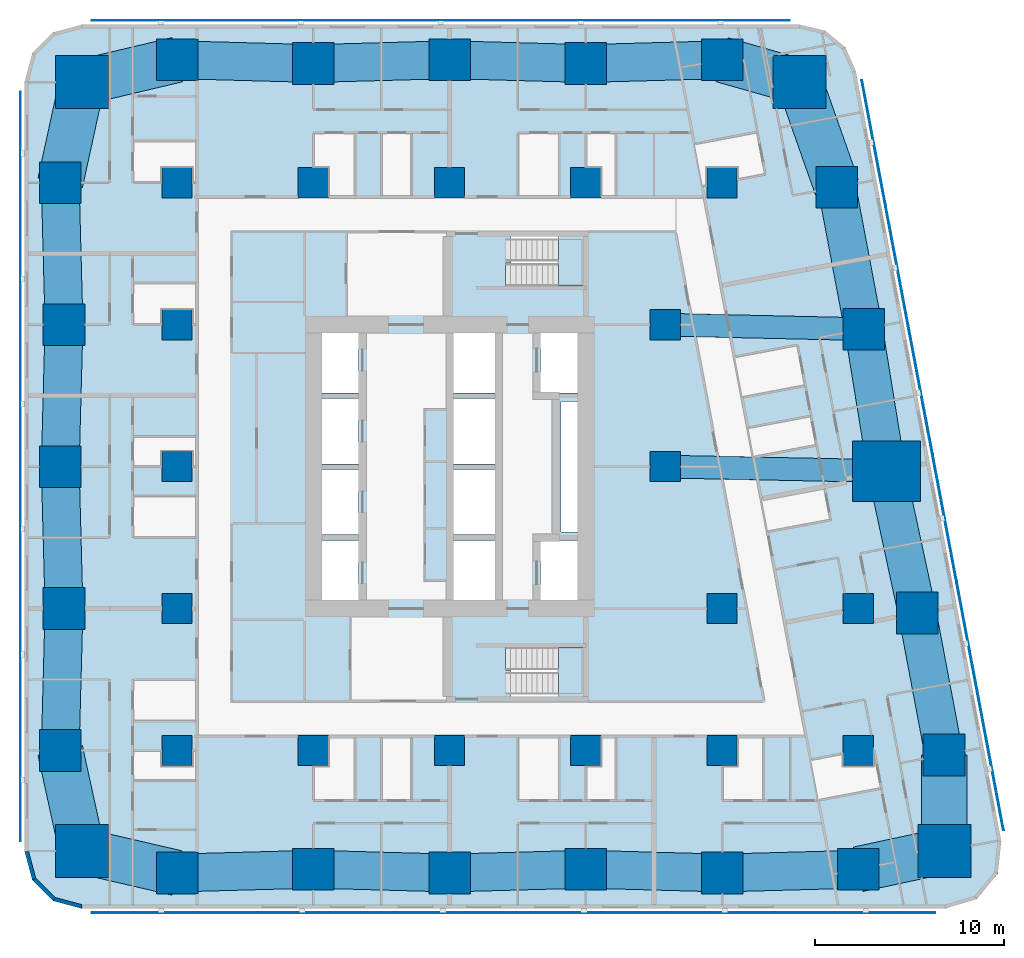
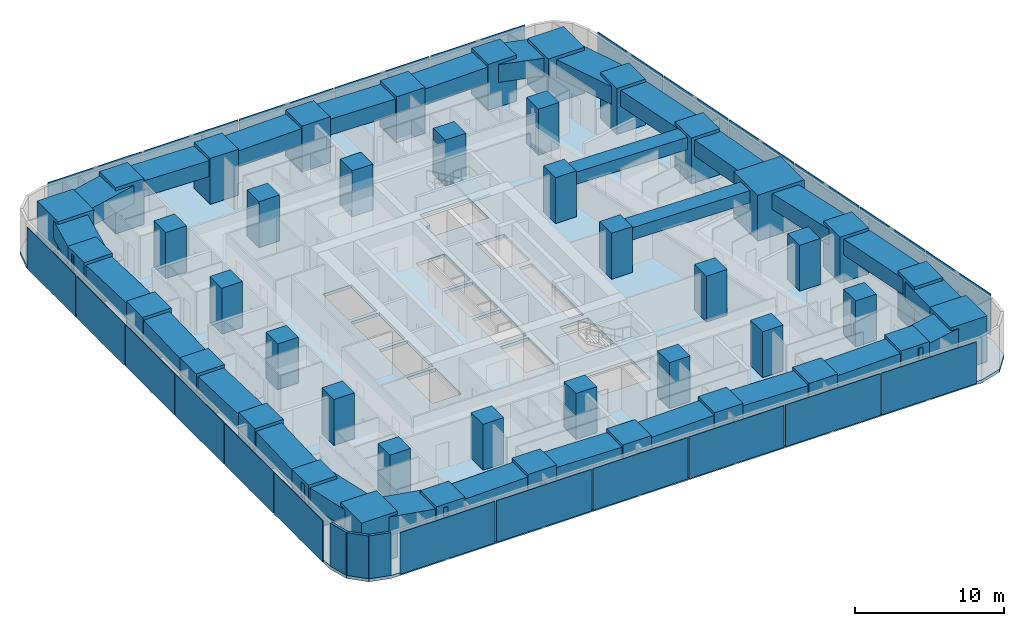
# One storey, part 1 of 15: 43 columns, 27 beams, 23 plates, 3 slabs, 3 walls, 2 elements without a shape of their own.
"""IFC4 building model written with IfcOpenShell, lengths in metres."""

from ifc_helpers import new_model, si_unit, direction, frame, frame_2d, origin, origin_2d, place, context, subcontext, project, spatial, polyline, rectangle, outline, extrude, material, layer, layer_set, material_profile, profile_set, type_object, element, aggregate, save


model = new_model("IFC4")

# Units and contexts
model_context = context("Model", 3, precision=1e-05, world=origin(), true_north=direction((0.0, 1.0)))
body_context = subcontext(model_context, "Body", "Model", "MODEL_VIEW")
ifc_project = project(units=[si_unit("LENGTHUNIT", "METRE"), si_unit("AREAUNIT", "SQUARE_METRE"), si_unit("VOLUMEUNIT", "CUBIC_METRE"), si_unit("PLANEANGLEUNIT", "RADIAN"), si_unit("MASSUNIT", "GRAM", prefix="KILO")], contexts=[model_context])

# Site, building, storey
site_placement = place(None, origin())
site = spatial("IfcSite", under=ifc_project, at=site_placement, CompositionType="ELEMENT")
building_placement = place(site_placement, origin())
building = spatial("IfcBuilding", under=site, at=building_placement, Name="Sheger Commons Tower", CompositionType="ELEMENT")
storey_placement = place(building_placement, frame((0.0, 0.0, 107.89990234375)))
storey = spatial("IfcBuildingStorey", under=building, at=storey_placement, Name="L27", CompositionType="ELEMENT", Elevation=107.89990234375)

# Columns
ifc_material_1 = material(Name="Concrete C50/60", Category="concrete")
ifc_material_profile_1 = material_profile(ifc_material_1, rectangle(XDim=3.60009765625, YDim=3.199951171875, at=origin_2d()), Name="RC 3600x3200")
ifc_profile_set_1 = profile_set([ifc_material_profile_1], Name="Concrete C50/60")
column_type_1 = type_object("IfcColumnType", Name="COLUMN PIER RC 3600x3200", PredefinedType="COLUMN", material=ifc_profile_set_1)
column_placement = place(storey_placement, frame((44.697021484375, 22.262939453125, 0.0), z_axis=(0.0, 0.0, 1.0), x_axis=(1.0, 0.0, 0.0)))
element("IfcColumn", 1, at=column_placement, inside=storey, type_object=column_type_1, Name="Pier 7/D+E/D L27", PredefinedType="COLUMN", context=body_context, shape_type="SweptSolid", body=[
    extrude(rectangle(XDim=3.60009765625, YDim=3.199951171875, at=origin_2d()), origin(), (0.0, 0.0, 1.0), 3.75),
])
ifc_material_2 = material(Name="Concrete C50/60", Category="concrete")
ifc_material_profile_2 = material_profile(ifc_material_2, rectangle(XDim=1.60009765625, YDim=1.60009765625, at=origin_2d()), Name="RC 1600x1600")
ifc_profile_set_2 = profile_set([ifc_material_profile_2], Name="Concrete C50/60")
column_type_2 = type_object("IfcColumnType", Name="COLUMN RC 1600x1600", PredefinedType="COLUMN", material=ifc_profile_set_2)
for number, where, z_axis, x_axis, name in (
    (2, (7.199951171875, 7.5, 0.0), (0.0, 0.0, 1.0), (1.0, 0.0, 0.0), "Column 2/B L27"),
    (3, (14.39990234375, 7.5, 0.0), (0.0, 0.0, 1.0), (1.0, 0.0, 0.0), "Column 3/B L27"),
    (4, (21.60009765625, 7.5, 0.0), (0.0, 0.0, 1.0), (1.0, 0.0, 0.0), "Column 4/B L27"),
    (5, (28.800048828125, 7.5, 0.0), (0.0, 0.0, 1.0), (1.0, 0.0, 0.0), "Column 5/B L27"),
    (6, (36.0, 7.5, 0.0), (0.0, 0.0, 1.0), (1.0, 0.0, 0.0), "Column 6/B L27"),
    (7, (43.199951171875, 7.5, 0.0), (0.0, 0.0, 1.0), (1.0, 0.0, 0.0), "Column 7/B L27"),
    (8, (7.199951171875, 15.0, 0.0), (0.0, 0.0, 1.0), (1.0, 0.0, 0.0), "Column 2/C L27"),
    (9, (36.0, 15.0, 0.0), (0.0, 0.0, 1.0), (1.0, 0.0, 0.0), "Column 6/C L27"),
    (10, (43.199951171875, 15.0, 0.0), (0.0, 0.0, 1.0), (1.0, 0.0, 0.0), "Column 7/C L27"),
    (11, (7.199951171875, 22.5, 0.0), (0.0, 0.0, 1.0), (1.0, 0.0, 0.0), "Column 2/D L27"),
    (12, (33.0, 22.5, 0.0), (0.0, 0.0, 1.0), (1.0, 0.0, 0.0), "Column 6-3000/D L27"),
    (13, (7.199951171875, 30.0, 0.0), (0.0, 0.0, 1.0), (1.0, 0.0, 0.0), "Column 2/E L27"),
    (14, (33.0, 30.0, 0.0), (0.0, 0.0, 1.0), (1.0, 0.0, 0.0), "Column 6-3000/E L27"),
    (15, (7.199951171875, 37.5, 0.0), (0.0, 0.0, 1.0), (1.0, 0.0, 0.0), "Column 2/F L27"),
    (16, (14.39990234375, 37.5, 0.0), (0.0, 0.0, 1.0), (1.0, 0.0, 0.0), "Column 3/F L27"),
    (17, (21.60009765625, 37.5, 0.0), (0.0, 0.0, 1.0), (1.0, 0.0, 0.0), "Column 4/F L27"),
    (18, (28.800048828125, 37.5, 0.0), (0.0, 0.0, 1.0), (1.0, 0.0, 0.0), "Column 5/F L27"),
    (19, (36.0, 37.5, 0.0), (0.0, 0.0, 1.0), (1.0, 0.0, 0.0), "Column 6/F L27"),
):
    element("IfcColumn", number, at=place(storey_placement, frame(where, z_axis=z_axis, x_axis=x_axis)), inside=storey, type_object=column_type_2, Name=name, PredefinedType="COLUMN", context=body_context, shape_type="SweptSolid", body=[
        extrude(rectangle(XDim=1.60009765625, YDim=1.60009765625, at=origin_2d()), origin(), (0.0, 0.0, 1.0), 3.75),
    ])
ifc_material_3 = material(Name="Concrete C50/60", Category="concrete")
ifc_material_profile_3 = material_profile(ifc_material_3, rectangle(XDim=2.199951171875, YDim=2.199951171875, at=origin_2d()), Name="RC 2200x2200")
ifc_profile_set_3 = profile_set([ifc_material_profile_3], Name="Concrete C50/60")
column_type_3 = type_object("IfcColumnType", Name="COLUMN RC 2200x2200", PredefinedType="COLUMN", material=ifc_profile_set_3)
for number, where, z_axis, x_axis, name in (
    (20, (7.199951171875, 1.02490234375, 0.0), (0.0, 0.0, 1.0), (1.0, 0.0, 0.0), "Column 2/A L27"),
    (21, (14.39990234375, 1.22509765625, 0.0), (0.0, 0.0, 1.0), (1.0, 0.0, 0.0), "Column 3/A L27"),
    (22, (21.60009765625, 1.02490234375, 0.0), (0.0, 0.0, 1.0), (1.0, 0.0, 0.0), "Column 4/A L27"),
    (23, (28.800048828125, 1.22509765625, 0.0), (0.0, 0.0, 1.0), (1.0, 0.0, 0.0), "Column 5/A L27"),
    (24, (36.0, 1.02490234375, 0.0), (0.0, 0.0, 1.0), (1.0, 0.0, 0.0), "Column 6/A L27"),
    (25, (43.199951171875, 1.22509765625, 0.0), (0.0, 0.0, 1.0), (1.0, 0.0, 0.0), "Column 7/A L27"),
    (26, (1.02490234375, 7.5, 0.0), (0.0, 0.0, 1.0), (1.0, 0.0, 0.0), "Column 1/B L27"),
    (27, (47.72998046875, 7.262939453125, 0.0), (0.0, 0.0, 1.0), (1.0, 0.0, 0.0), "Column E/B L27"),
    (28, (1.22509765625, 15.0, 0.0), (0.0, 0.0, 1.0), (1.0, 0.0, 0.0), "Column 1/C L27"),
    (29, (46.31396484375, 14.762939453125, 0.0), (0.0, 0.0, 1.0), (1.0, 0.0, 0.0), "Column E/C L27"),
    (30, (1.02490234375, 22.5, 0.0), (0.0, 0.0, 1.0), (1.0, 0.0, 0.0), "Column 1/D L27"),
    (31, (1.22509765625, 30.0, 0.0), (0.0, 0.0, 1.0), (1.0, 0.0, 0.0), "Column 1/E L27"),
    (32, (43.47998046875, 29.762939453125, 0.0), (0.0, 0.0, 1.0), (1.0, 0.0, 0.0), "Column E/E L27"),
    (33, (1.02490234375, 37.5, 0.0), (0.0, 0.0, 1.0), (1.0, 0.0, 0.0), "Column 1/F L27"),
    (34, (42.06396484375, 37.262939453125, 0.0), (0.0, 0.0, 1.0), (1.0, 0.0, 0.0), "Column E/F L27"),
    (35, (7.199951171875, 44.0, 0.0), (0.0, 0.0, 1.0), (1.0, 0.0, 0.0), "Column 2/G L27"),
    (36, (14.39990234375, 43.800048828125, 0.0), (0.0, 0.0, 1.0), (1.0, 0.0, 0.0), "Column 3/G L27"),
    (37, (21.60009765625, 44.0, 0.0), (0.0, 0.0, 1.0), (1.0, 0.0, 0.0), "Column 4/G L27"),
    (38, (28.800048828125, 43.800048828125, 0.0), (0.0, 0.0, 1.0), (1.0, 0.0, 0.0), "Column 5/G L27"),
    (39, (36.0, 44.0, 0.0), (0.0, 0.0, 1.0), (1.0, 0.0, 0.0), "Column 6/G L27"),
):
    element("IfcColumn", number, at=place(storey_placement, frame(where, z_axis=z_axis, x_axis=x_axis)), inside=storey, type_object=column_type_3, Name=name, PredefinedType="COLUMN", context=body_context, shape_type="SweptSolid", body=[
        extrude(rectangle(XDim=2.199951171875, YDim=2.199951171875, at=origin_2d()), origin(), (0.0, 0.0, 1.0), 3.75),
    ])
ifc_material_4 = material(Name="Concrete C50/60", Category="concrete")
ifc_material_profile_4 = material_profile(ifc_material_4, rectangle(XDim=2.800048828125, YDim=2.800048828125, at=origin_2d()), Name="RC 2800x2800")
ifc_profile_set_4 = profile_set([ifc_material_profile_4], Name="Concrete C50/60")
column_type_4 = type_object("IfcColumnType", Name="COLUMN RC 2800x2800", PredefinedType="COLUMN", material=ifc_profile_set_4)
for number, where, z_axis, x_axis, name in (
    (40, (2.18603515625, 2.18603515625, 0.0), (0.0, 0.0, 1.0), (1.0, 0.0, 0.0), "Column 0.630,0.630 L27"),
    (41, (47.748046875, 2.197021484375, 0.0), (0.0, 0.0, 1.0), (1.0, 0.0, 0.0), "Column 49.461,0.778 L27"),
    (42, (2.18603515625, 42.81396484375, 0.0), (0.0, 0.0, 1.0), (1.0, 0.0, 0.0), "Column 0.630,44.370 L27"),
    (43, (40.10205078125, 42.830078125, 0.0), (0.0, 0.0, 1.0), (1.0, 0.0, 0.0), "Column 41.490,44.505 L27"),
):
    element("IfcColumn", number, at=place(storey_placement, frame(where, z_axis=z_axis, x_axis=x_axis)), inside=storey, type_object=column_type_4, Name=name, PredefinedType="COLUMN", context=body_context, shape_type="SweptSolid", body=[
        extrude(rectangle(XDim=2.800048828125, YDim=2.800048828125, at=origin_2d()), origin(), (0.0, 0.0, 1.0), 3.75),
    ])

# Beams
ifc_material_5 = material(Name="Concrete C50/60", Category="concrete")
ifc_material_profile_5 = material_profile(ifc_material_5, rectangle(XDim=1.199951171875, YDim=1.0, at=origin_2d()), Name="RC 1200x1000")
ifc_profile_set_5 = profile_set([ifc_material_profile_5], Name="Concrete C50/60")
beam_type_1 = type_object("IfcBeamType", Name="BEAM RC 1200x1000", PredefinedType="BEAM", material=ifc_profile_set_5)
beam_1_placement = place(storey_placement, frame((33.0, 22.5, 3.0), z_axis=(0.999794692776, -0.02026258368, 0.0), x_axis=(0.02026258368, 0.999794692776, 0.0)))
element("IfcBeam", 44, at=beam_1_placement, inside=storey, type_object=beam_type_1, Name="Beam 6-3000/D-7/D under L28", PredefinedType="BEAM", context=body_context, shape_type="SweptSolid", body=[
    extrude(rectangle(XDim=1.199951171875, YDim=1.0, at=origin_2d()), origin(), (0.0, 0.0, 1.0), 11.699462890625),
])
beam_2_placement = place(storey_placement, frame((33.0, 30.0, 3.0), z_axis=(0.999744258625, -0.022614538395, 0.0), x_axis=(0.022614538395, 0.999744258625, 0.0)))
element("IfcBeam", 45, at=beam_2_placement, inside=storey, type_object=beam_type_1, Name="Beam 6-3000/E-E/E under L28", PredefinedType="BEAM", context=body_context, shape_type="SweptSolid", body=[
    extrude(rectangle(XDim=1.199951171875, YDim=1.0, at=origin_2d()), origin(), (0.0, 0.0, 1.0), 10.482666015625),
])
ifc_material_6 = material(Name="Concrete C50/60", Category="concrete")
ifc_material_profile_6 = material_profile(ifc_material_6, rectangle(XDim=2.0, YDim=1.300048828125, at=origin_2d()), Name="RC 2000x1300")
ifc_profile_set_6 = profile_set([ifc_material_profile_6], Name="Concrete C50/60")
beam_type_2 = type_object("IfcBeamType", Name="SPANDREL RC 2000x1300", PredefinedType="SPANDREL", material=ifc_profile_set_6)
beam_3_placement = place(storey_placement, frame((7.199951171875, 1.02490234375, 2.85009765625), z_axis=(0.9996136624, 0.027794350926, 0.0), x_axis=(-0.027794350926, 0.9996136624, 0.0)))
element("IfcBeam", 46, at=beam_3_placement, inside=storey, type_object=beam_type_2, Name="Beam 2/A-3/A under L28", PredefinedType="SPANDREL", context=body_context, shape_type="SweptSolid", body=[
    extrude(rectangle(XDim=2.0, YDim=1.300048828125, at=origin_2d()), origin(), (0.0, 0.0, 1.0), 7.20263671875),
])
beam_4_placement = place(storey_placement, frame((14.39990234375, 1.22509765625, 2.85009765625), z_axis=(0.999613688584, -0.027793409217, 0.0), x_axis=(0.027793409217, 0.999613688584, 0.0)))
element("IfcBeam", 47, at=beam_4_placement, inside=storey, type_object=beam_type_2, Name="Beam 3/A-4/A under L28", PredefinedType="SPANDREL", context=body_context, shape_type="SweptSolid", body=[
    extrude(rectangle(XDim=2.0, YDim=1.300048828125, at=origin_2d()), origin(), (0.0, 0.0, 1.0), 7.202880859375),
])
for number, where, z_axis, x_axis, name in (
    (48, (21.60009765625, 1.02490234375, 2.85009765625), (0.9996136624, 0.027794350926, 0.0), (-0.027794350926, 0.9996136624, 0.0), "Beam 4/A-5/A under L28"),
    (49, (28.800048828125, 1.22509765625, 2.85009765625), (0.9996136624, -0.027794350926, 0.0), (0.027794350926, 0.9996136624, 0.0), "Beam 5/A-6/A under L28"),
    (50, (36.0, 1.02490234375, 2.85009765625), (0.9996136624, 0.027794350926, 0.0), (-0.027794350926, 0.9996136624, 0.0), "Beam 6/A-7/A under L28"),
):
    element("IfcBeam", number, at=place(storey_placement, frame(where, z_axis=z_axis, x_axis=x_axis)), inside=storey, type_object=beam_type_2, Name=name, PredefinedType="SPANDREL", context=body_context, shape_type="SweptSolid", body=[
        extrude(rectangle(XDim=2.0, YDim=1.300048828125, at=origin_2d()), origin(), (0.0, 0.0, 1.0), 7.20263671875),
    ])
beam_5_placement = place(storey_placement, frame((47.72998046875, 7.262939453125, 2.85009765625), z_axis=(-0.18552441405, 0.982639655108, 0.0), x_axis=(-0.982639655108, -0.18552441405, 0.0)))
element("IfcBeam", 51, at=beam_5_placement, inside=storey, type_object=beam_type_2, Name="Beam E/B-E/C under L28", PredefinedType="SPANDREL", context=body_context, shape_type="SweptSolid", body=[
    extrude(rectangle(XDim=2.0, YDim=1.300048828125, at=origin_2d()), origin(), (0.0, 0.0, 1.0), 7.632568359375),
])
beam_6_placement = place(storey_placement, frame((46.31396484375, 14.762939453125, 2.85009765625), z_axis=(-0.210750229323, 0.977539943348, 0.0), x_axis=(-0.977539943348, -0.210750229323, 0.0)))
element("IfcBeam", 52, at=beam_6_placement, inside=storey, type_object=beam_type_2, Name="Beam E/C-E/D under L28", PredefinedType="SPANDREL", context=body_context, shape_type="SweptSolid", body=[
    extrude(rectangle(XDim=2.0, YDim=1.300048828125, at=origin_2d()), origin(), (0.0, 0.0, 1.0), 7.67236328125),
])
beam_7_placement = place(storey_placement, frame((44.697021484375, 22.262939453125, 2.85009765625), z_axis=(-0.160176929512, 0.987088319884, 0.0), x_axis=(-0.987088319884, -0.160176929512, 0.0)))
element("IfcBeam", 53, at=beam_7_placement, inside=storey, type_object=beam_type_2, Name="Beam E/D-E/E under L28", PredefinedType="SPANDREL", context=body_context, shape_type="SweptSolid", body=[
    extrude(rectangle(XDim=2.0, YDim=1.300048828125, at=origin_2d()), origin(), (0.0, 0.0, 1.0), 7.59814453125),
])
beam_8_placement = place(storey_placement, frame((43.47998046875, 29.762939453125, 2.85009765625), z_axis=(-0.18552441405, 0.982639655108, 0.0), x_axis=(-0.982639655108, -0.18552441405, 0.0)))
element("IfcBeam", 54, at=beam_8_placement, inside=storey, type_object=beam_type_2, Name="Beam E/E-E/F under L28", PredefinedType="SPANDREL", context=body_context, shape_type="SweptSolid", body=[
    extrude(rectangle(XDim=2.0, YDim=1.300048828125, at=origin_2d()), origin(), (0.0, 0.0, 1.0), 7.632568359375),
])
for number, where, z_axis, x_axis, name in (
    (55, (36.0, 44.0, 2.85009765625), (-0.999614603568, -0.027760481514, 0.0), (0.027760481514, -0.999614603568, 0.0), "Beam 6/G-5/G under L28"),
    (56, (28.800048828125, 43.800048828125, 2.85009765625), (-0.999614603568, 0.027760481514, 0.0), (-0.027760481514, -0.999614603568, 0.0), "Beam 5/G-4/G under L28"),
):
    element("IfcBeam", number, at=place(storey_placement, frame(where, z_axis=z_axis, x_axis=x_axis)), inside=storey, type_object=beam_type_2, Name=name, PredefinedType="SPANDREL", context=body_context, shape_type="SweptSolid", body=[
        extrude(rectangle(XDim=2.0, YDim=1.300048828125, at=origin_2d()), origin(), (0.0, 0.0, 1.0), 7.20263671875),
    ])
beam_9_placement = place(storey_placement, frame((21.60009765625, 44.0, 2.85009765625), z_axis=(-0.999614629688, -0.027759540951, 0.0), x_axis=(0.027759540951, -0.999614629688, 0.0)))
element("IfcBeam", 57, at=beam_9_placement, inside=storey, type_object=beam_type_2, Name="Beam 4/G-3/G under L28", PredefinedType="SPANDREL", context=body_context, shape_type="SweptSolid", body=[
    extrude(rectangle(XDim=2.0, YDim=1.300048828125, at=origin_2d()), origin(), (0.0, 0.0, 1.0), 7.202880859375),
])
beam_10_placement = place(storey_placement, frame((14.39990234375, 43.800048828125, 2.85009765625), z_axis=(-0.999614603568, 0.027760481514, 0.0), x_axis=(-0.027760481514, -0.999614603568, 0.0)))
element("IfcBeam", 58, at=beam_10_placement, inside=storey, type_object=beam_type_2, Name="Beam 3/G-2/G under L28", PredefinedType="SPANDREL", context=body_context, shape_type="SweptSolid", body=[
    extrude(rectangle(XDim=2.0, YDim=1.300048828125, at=origin_2d()), origin(), (0.0, 0.0, 1.0), 7.20263671875),
])
for number, where, z_axis, x_axis, name in (
    (59, (1.02490234375, 37.5, 2.85009765625), (0.026683204125, -0.999643939919, 0.0), (0.999643939919, 0.026683204125, 0.0), "Beam 1/F-1/E under L28"),
    (60, (1.22509765625, 30.0, 2.85009765625), (-0.026683204125, -0.999643939919, 0.0), (0.999643939919, -0.026683204125, 0.0), "Beam 1/E-1/D under L28"),
    (61, (1.02490234375, 22.5, 2.85009765625), (0.026683204125, -0.999643939919, 0.0), (0.999643939919, 0.026683204125, 0.0), "Beam 1/D-1/C under L28"),
    (62, (1.22509765625, 15.0, 2.85009765625), (-0.026683204125, -0.999643939919, 0.0), (0.999643939919, -0.026683204125, 0.0), "Beam 1/C-1/B under L28"),
):
    element("IfcBeam", number, at=place(storey_placement, frame(where, z_axis=z_axis, x_axis=x_axis)), inside=storey, type_object=beam_type_2, Name=name, PredefinedType="SPANDREL", context=body_context, shape_type="SweptSolid", body=[
        extrude(rectangle(XDim=2.0, YDim=1.300048828125, at=origin_2d()), origin(), (0.0, 0.0, 1.0), 7.502685546875),
    ])
ifc_material_7 = material(Name="Concrete C50/60", Category="concrete")
ifc_material_profile_7 = material_profile(ifc_material_7, rectangle(XDim=2.39990234375, YDim=1.449951171875, at=origin_2d()), Name="RC 2400x1450")
ifc_profile_set_7 = profile_set([ifc_material_profile_7], Name="Concrete C50/60")
beam_type_3 = type_object("IfcBeamType", Name="SPANDREL RC 2400x1450", PredefinedType="SPANDREL", material=ifc_profile_set_7)
beam_11_placement = place(storey_placement, frame((2.18603515625, 2.18603515625, 2.775146484375), z_axis=(0.974217413499, -0.225611239159, 0.0), x_axis=(0.225611239159, 0.974217413499, 0.0)))
element("IfcBeam", 63, at=beam_11_placement, inside=storey, type_object=beam_type_3, Name="Beam 0.630,0.630-2/A under L28", PredefinedType="SPANDREL", context=body_context, shape_type="SweptSolid", body=[
    extrude(rectangle(XDim=2.39990234375, YDim=1.449951171875, at=origin_2d()), origin(), (0.0, 0.0, 1.0), 5.146728515625),
])
beam_12_placement = place(storey_placement, frame((43.199951171875, 1.22509765625, 2.775146484375), z_axis=(0.977919796671, 0.208980552394, 0.0), x_axis=(-0.208980552394, 0.977919796671, 0.0)))
element("IfcBeam", 64, at=beam_12_placement, inside=storey, type_object=beam_type_3, Name="Beam 7/A-49.461,0.778 under L28", PredefinedType="SPANDREL", context=body_context, shape_type="SweptSolid", body=[
    extrude(rectangle(XDim=2.39990234375, YDim=1.449951171875, at=origin_2d()), origin(), (0.0, 0.0, 1.0), 4.65087890625),
])
beam_13_placement = place(storey_placement, frame((47.748046875, 2.197021484375, 2.775146484375), z_axis=(-0.003566242382, 0.999993640937, 0.0), x_axis=(-0.999993640937, -0.003566242382, 0.0)))
element("IfcBeam", 65, at=beam_13_placement, inside=storey, type_object=beam_type_3, Name="Beam 49.461,0.778-E/B under L28", PredefinedType="SPANDREL", context=body_context, shape_type="SweptSolid", body=[
    extrude(rectangle(XDim=2.39990234375, YDim=1.449951171875, at=origin_2d()), origin(), (0.0, 0.0, 1.0), 5.06591796875),
])
beam_14_placement = place(storey_placement, frame((42.06396484375, 37.262939453125, 2.775146484375), z_axis=(-0.332374403357, 0.943147526102, 0.0), x_axis=(-0.943147526102, -0.332374403357, 0.0)))
element("IfcBeam", 66, at=beam_14_placement, inside=storey, type_object=beam_type_3, Name="Beam E/F-41.490,44.505 under L28", PredefinedType="SPANDREL", context=body_context, shape_type="SweptSolid", body=[
    extrude(rectangle(XDim=2.39990234375, YDim=1.449951171875, at=origin_2d()), origin(), (0.0, 0.0, 1.0), 5.90283203125),
])
beam_15_placement = place(storey_placement, frame((40.10205078125, 42.830078125, 2.775146484375), z_axis=(-0.961653428129, 0.274267541221, 0.0), x_axis=(-0.274267541221, -0.961653428129, 0.0)))
element("IfcBeam", 67, at=beam_15_placement, inside=storey, type_object=beam_type_3, Name="Beam 41.490,44.505-6/G under L28", PredefinedType="SPANDREL", context=body_context, shape_type="SweptSolid", body=[
    extrude(rectangle(XDim=2.39990234375, YDim=1.449951171875, at=origin_2d()), origin(), (0.0, 0.0, 1.0), 4.265625),
])
beam_16_placement = place(storey_placement, frame((7.199951171875, 44.0, 2.775146484375), z_axis=(-0.97314428949, -0.230195985701, 0.0), x_axis=(0.230195985701, -0.97314428949, 0.0)))
element("IfcBeam", 68, at=beam_16_placement, inside=storey, type_object=beam_type_3, Name="Beam 2/G-0.630,44.370 under L28", PredefinedType="SPANDREL", context=body_context, shape_type="SweptSolid", body=[
    extrude(rectangle(XDim=2.39990234375, YDim=1.449951171875, at=origin_2d()), origin(), (0.0, 0.0, 1.0), 5.15234375),
])
for number, where, z_axis, x_axis, name in (
    (69, (2.18603515625, 42.81396484375, 2.775146484375), (-0.213469314652, -0.976949769283, 0.0), (0.976949769283, -0.213469314652, 0.0), "Beam 0.630,44.370-1/F under L28"),
    (70, (1.02490234375, 7.5, 2.775146484375), (0.213469314652, -0.976949769283, 0.0), (0.976949769283, 0.213469314652, 0.0), "Beam 1/B-0.630,0.630 under L28"),
):
    element("IfcBeam", number, at=place(storey_placement, frame(where, z_axis=z_axis, x_axis=x_axis)), inside=storey, type_object=beam_type_3, Name=name, PredefinedType="SPANDREL", context=body_context, shape_type="SweptSolid", body=[
        extrude(rectangle(XDim=2.39990234375, YDim=1.449951171875, at=origin_2d()), origin(), (0.0, 0.0, 1.0), 5.439453125),
    ])

# Slab
ifc_material_8 = material(Name="Concrete C35/45", Category="concrete")
ifc_layer_1 = layer(ifc_material_8, 0.25)
ifc_layer_set_1 = layer_set([ifc_layer_1], Name="SLAB FLOOR 250")
slab_type_1 = type_object("IfcSlabType", Name="SLAB FLOOR 250", PredefinedType="FLOOR", material=ifc_layer_set_1)
slab_1_placement = place(storey_placement, frame((0.0, 0.0, -0.25)))
element("IfcSlab", 71, at=slab_1_placement, inside=storey, type_object=slab_type_1, Name="L27 floor slab", PredefinedType="FLOOR", context=body_context, shape_type="SweptSolid", body=[
    extrude(outline(polyline([(-0.85009765625, 2.14990234375), (-0.447998046875, 0.64990234375), (0.64990234375, -0.447998046875), (2.14990234375, -0.85009765625), (47.805908203125, -0.85009765625), (49.465087890625, -0.35009765625), (50.570068359375, 0.98388671875), (50.75390625, 2.70703125), (43.06591796875, 43.406982421875), (42.509033203125, 44.660888671875), (41.452880859375, 45.535888671875), (40.117919921875, 45.85009765625), (2.14990234375, 45.85009765625), (0.64990234375, 45.447998046875), (-0.447998046875, 44.35009765625), (-0.85009765625, 42.85009765625), (-0.85009765625, 2.14990234375)]), holes=[polyline([(24.85009765625, 10.35009765625), (28.64990234375, 10.35009765625), (28.64990234375, 12.949951171875), (24.551025390625, 12.949951171875), (24.551025390625, 11.75), (24.85009765625, 11.75), (24.85009765625, 10.35009765625)]), polyline([(24.551025390625, 32.050048828125), (28.64990234375, 32.050048828125), (28.64990234375, 34.64990234375), (24.85009765625, 34.64990234375), (24.85009765625, 33.25), (24.551025390625, 33.25), (24.551025390625, 32.050048828125)]), polyline([(26.39990234375, 15.14990234375), (28.60009765625, 15.14990234375), (28.60009765625, 18.60009765625), (26.39990234375, 18.60009765625), (26.39990234375, 15.14990234375)]), polyline([(26.39990234375, 26.39990234375), (28.60009765625, 26.39990234375), (28.60009765625, 29.85009765625), (26.39990234375, 29.85009765625), (26.39990234375, 26.39990234375)]), polyline([(14.60009765625, 15.14990234375), (16.800048828125, 15.14990234375), (16.800048828125, 18.60009765625), (14.60009765625, 18.60009765625), (14.60009765625, 15.14990234375)]), polyline([(14.60009765625, 18.89990234375), (16.800048828125, 18.89990234375), (16.800048828125, 22.35009765625), (14.60009765625, 22.35009765625), (14.60009765625, 18.89990234375)]), polyline([(14.60009765625, 22.64990234375), (16.800048828125, 22.64990234375), (16.800048828125, 26.10009765625), (14.60009765625, 26.10009765625), (14.60009765625, 22.64990234375)]), polyline([(14.60009765625, 26.39990234375), (16.800048828125, 26.39990234375), (16.800048828125, 29.85009765625), (14.60009765625, 29.85009765625), (14.60009765625, 26.39990234375)]), polyline([(21.800048828125, 15.14990234375), (24.0, 15.14990234375), (24.0, 18.60009765625), (21.800048828125, 18.60009765625), (21.800048828125, 15.14990234375)]), polyline([(21.800048828125, 18.89990234375), (24.0, 18.89990234375), (24.0, 22.35009765625), (21.800048828125, 22.35009765625), (21.800048828125, 18.89990234375)]), polyline([(21.800048828125, 22.64990234375), (24.0, 22.64990234375), (24.0, 26.10009765625), (21.800048828125, 26.10009765625), (21.800048828125, 22.64990234375)]), polyline([(21.800048828125, 26.39990234375), (24.0, 26.39990234375), (24.0, 29.85009765625), (21.800048828125, 29.85009765625), (21.800048828125, 26.39990234375)]), polyline([(27.5, 19.050048828125), (28.5, 19.050048828125), (28.5, 25.949951171875), (27.5, 25.949951171875), (27.5, 19.050048828125)])]), origin(), (0.0, 0.0, 1.0), 0.25),
])

# Plates
ifc_material_9 = material(Name="Perforated black anodised aluminium screen", Category="aluminium")
ifc_layer_2 = layer(ifc_material_9, 0.050048828125)
ifc_layer_set_2 = layer_set([ifc_layer_2], Name="SOLAR SCREEN SCREEN-1")
plate_type = type_object("IfcPlateType", Name="SOLAR SCREEN SCREEN-1", PredefinedType="USERDEFINED", material=ifc_layer_set_2)
for number, where, z_axis, x_axis, name in (
    (72, (6.37109375, -1.074951171875, 0.050048828125), (0.0, 0.0, 1.0), (1.0, 0.0, 0.0), "Perforated solar screen panel"),
    (73, (13.81396484375, -1.074951171875, 0.050048828125), (0.0, 0.0, 1.0), (1.0, 0.0, 0.0), "Perforated solar screen panel"),
    (74, (21.257080078125, -1.074951171875, 0.050048828125), (0.0, 0.0, 1.0), (1.0, 0.0, 0.0), "Perforated solar screen panel"),
    (75, (28.698974609375, -1.074951171875, 0.050048828125), (0.0, 0.0, 1.0), (1.0, 0.0, 0.0), "Perforated solar screen panel"),
    (76, (36.14208984375, -1.074951171875, 0.050048828125), (0.0, 0.0, 1.0), (1.0, 0.0, 0.0), "Perforated solar screen panel"),
    (77, (43.5849609375, -1.074951171875, 0.050048828125), (0.0, 0.0, 1.0), (1.0, 0.0, 0.0), "Perforated solar screen panel"),
):
    element("IfcPlate", number, at=place(storey_placement, frame(where, z_axis=z_axis, x_axis=x_axis)), inside=storey, type_object=plate_type, Name=name, ObjectType="SCREEN", PredefinedType="USERDEFINED", context=body_context, shape_type="SweptSolid", body=[
        extrude(rectangle(XDim=7.343017578125, YDim=0.050048828125, at=origin_2d()), origin(), (0.0, 0.0, 1.0), 3.39990234375),
    ])
for number, where, z_axis, x_axis, name in (
    (78, (50.257080078125, 6.550048828125, 0.050048828125), (0.0, 0.0, 1.0), (-0.185615165645, 0.982622516678, 0.0), "Perforated solar screen panel"),
    (79, (49.007080078125, 13.1689453125, 0.050048828125), (0.0, 0.0, 1.0), (-0.185615165645, 0.982622516678, 0.0), "Perforated solar screen panel"),
    (80, (47.756103515625, 19.7890625, 0.050048828125), (0.0, 0.0, 1.0), (-0.185615165645, 0.982622516678, 0.0), "Perforated solar screen panel"),
    (81, (46.506103515625, 26.408935546875, 0.050048828125), (0.0, 0.0, 1.0), (-0.185615165645, 0.982622516678, 0.0), "Perforated solar screen panel"),
    (82, (45.2548828125, 33.028076171875, 0.050048828125), (0.0, 0.0, 1.0), (-0.185615165645, 0.982622516678, 0.0), "Perforated solar screen panel"),
    (83, (44.0048828125, 39.64794921875, 0.050048828125), (0.0, 0.0, 1.0), (-0.185615165645, 0.982622516678, 0.0), "Perforated solar screen panel"),
):
    element("IfcPlate", number, at=place(storey_placement, frame(where, z_axis=z_axis, x_axis=x_axis)), inside=storey, type_object=plate_type, Name=name, ObjectType="SCREEN", PredefinedType="USERDEFINED", context=body_context, shape_type="SweptSolid", body=[
        extrude(rectangle(XDim=6.636962890625, YDim=0.050048828125, at=origin_2d()), origin(), (0.0, 0.0, 1.0), 3.39990234375),
    ])
for number, where, z_axis, x_axis, name in (
    (84, (35.9208984375, 46.074951171875, 0.050048828125), (0.0, 0.0, 1.0), (-1.0, 0.0, 0.0), "Perforated solar screen panel"),
    (85, (28.528076171875, 46.074951171875, 0.050048828125), (0.0, 0.0, 1.0), (-1.0, 0.0, 0.0), "Perforated solar screen panel"),
    (86, (21.134033203125, 46.074951171875, 0.050048828125), (0.0, 0.0, 1.0), (-1.0, 0.0, 0.0), "Perforated solar screen panel"),
    (87, (13.739990234375, 46.074951171875, 0.050048828125), (0.0, 0.0, 1.0), (-1.0, 0.0, 0.0), "Perforated solar screen panel"),
    (88, (6.346923828125, 46.074951171875, 0.050048828125), (0.0, 0.0, 1.0), (-1.0, 0.0, 0.0), "Perforated solar screen panel"),
):
    element("IfcPlate", number, at=place(storey_placement, frame(where, z_axis=z_axis, x_axis=x_axis)), inside=storey, type_object=plate_type, Name=name, ObjectType="SCREEN", PredefinedType="USERDEFINED", context=body_context, shape_type="SweptSolid", body=[
        extrude(rectangle(XDim=7.2939453125, YDim=0.050048828125, at=origin_2d()), origin(), (0.0, 0.0, 1.0), 3.39990234375),
    ])
for number, where, z_axis, x_axis, name in (
    (89, (-1.074951171875, 39.0419921875, 0.050048828125), (0.0, 0.0, 1.0), (0.0, -1.0, 0.0), "Perforated solar screen panel"),
    (90, (-1.074951171875, 32.425048828125, 0.050048828125), (0.0, 0.0, 1.0), (0.0, -1.0, 0.0), "Perforated solar screen panel"),
    (91, (-1.074951171875, 25.80810546875, 0.050048828125), (0.0, 0.0, 1.0), (0.0, -1.0, 0.0), "Perforated solar screen panel"),
    (92, (-1.074951171875, 19.19189453125, 0.050048828125), (0.0, 0.0, 1.0), (0.0, -1.0, 0.0), "Perforated solar screen panel"),
    (93, (-1.074951171875, 12.574951171875, 0.050048828125), (0.0, 0.0, 1.0), (0.0, -1.0, 0.0), "Perforated solar screen panel"),
    (94, (-1.074951171875, 5.9580078125, 0.050048828125), (0.0, 0.0, 1.0), (0.0, -1.0, 0.0), "Perforated solar screen panel"),
):
    element("IfcPlate", number, at=place(storey_placement, frame(where, z_axis=z_axis, x_axis=x_axis)), inside=storey, type_object=plate_type, Name=name, ObjectType="SCREEN", PredefinedType="USERDEFINED", context=body_context, shape_type="SweptSolid", body=[
        extrude(rectangle(XDim=6.51708984375, YDim=0.050048828125, at=origin_2d()), origin(), (0.0, 0.0, 1.0), 3.39990234375),
    ])

# Stair, slab
ifc_material_10 = material(Name="Concrete C35/45", Category="concrete")
stair_type = type_object("IfcStairType", Name="HALF-TURN STAIR 1200 RISE 3750", PredefinedType="HALF_TURN_STAIR", material=ifc_material_10)
stair_1_placement = place(storey_placement, origin())
stair_1 = element("IfcStair", 95, at=stair_1_placement, inside=storey, type_object=stair_type, Name="Stair S1 L27", PredefinedType="HALF_TURN_STAIR")
ifc_material_11 = material(Name="Concrete C35/45", Category="concrete")
ifc_layer_3 = layer(ifc_material_11, 0.199951171875)
ifc_layer_set_3 = layer_set([ifc_layer_3], Name="STAIR LANDING 200")
slab_type_2 = type_object("IfcSlabType", Name="STAIR LANDING 200", PredefinedType="LANDING", material=ifc_layer_set_3)
slab_2_placement = place(storey_placement, frame((0.0, 0.0, 1.675048828125)))
slab_2 = element("IfcSlab", 96, at=slab_2_placement, type_object=slab_type_2, Name="S1 landing 1", PredefinedType="LANDING", context=body_context, shape_type="SweptSolid", body=[
    extrude(outline(polyline([(27.35009765625, 10.199951171875), (28.800048828125, 10.199951171875), (28.800048828125, 12.949951171875), (27.35009765625, 12.949951171875), (27.35009765625, 10.199951171875)])), origin(), (0.0, 0.0, 1.0), 0.199951171875),
])
aggregate(stair_1, [slab_2])

stair_2_placement = place(storey_placement, origin())
stair_2 = element("IfcStair", 97, at=stair_2_placement, inside=storey, type_object=stair_type, Name="Stair S2 L27", PredefinedType="HALF_TURN_STAIR")
slab_3_placement = place(storey_placement, frame((0.0, 0.0, 1.675048828125)))
slab_3 = element("IfcSlab", 98, at=slab_3_placement, type_object=slab_type_2, Name="S2 landing 1", PredefinedType="LANDING", context=body_context, shape_type="SweptSolid", body=[
    extrude(outline(polyline([(27.35009765625, 32.050048828125), (28.800048828125, 32.050048828125), (28.800048828125, 34.800048828125), (27.35009765625, 34.800048828125), (27.35009765625, 32.050048828125)])), origin(), (0.0, 0.0, 1.0), 0.199951171875),
])
aggregate(stair_2, [slab_3])

# Walls
ifc_material_12 = material(Name="Rendered concrete block masonry, dark grey", Category="masonry")
ifc_layer_4 = layer(ifc_material_12, 0.199951171875)
ifc_layer_set_4 = layer_set([ifc_layer_4], Name="FACADE WALL 200")
wall_type = type_object("IfcWallType", Name="FACADE WALL 200", PredefinedType="SOLIDWALL", material=ifc_layer_set_4)
wall_1_placement = place(storey_placement, frame((-0.75, 2.1630859375, 0.0), z_axis=(0.0, 0.0, 1.0), x_axis=(0.259168954497, -0.965832000415, 0.0)))
element("IfcWall", 99, at=wall_1_placement, inside=storey, type_object=wall_type, Name="Facade wall L27", PredefinedType="SOLIDWALL", context=body_context, shape_type="SweptSolid", body=[
    extrude(rectangle(XDim=1.512939453125, YDim=0.199951171875, at=frame_2d((0.75634765625, 0.0))), origin(), (0.0, 0.0, 1.0), 3.5),
])
wall_2_placement = place(storey_placement, frame((-0.35791015625, 0.701904296875, 0.0), z_axis=(0.0, 0.0, 1.0), x_axis=(0.707106781187, -0.707106781187, 0.0)))
element("IfcWall", 100, at=wall_2_placement, inside=storey, type_object=wall_type, Name="Facade wall L27", PredefinedType="SOLIDWALL", context=body_context, shape_type="SweptSolid", body=[
    extrude(rectangle(XDim=1.498779296875, YDim=0.199951171875, at=frame_2d((0.74951171875, 0.0))), origin(), (0.0, 0.0, 1.0), 3.5),
])
wall_3_placement = place(storey_placement, frame((0.701904296875, -0.35791015625, 0.0), z_axis=(0.0, 0.0, 1.0), x_axis=(0.965832000415, -0.259168954497, 0.0)))
element("IfcWall", 101, at=wall_3_placement, inside=storey, type_object=wall_type, Name="Facade wall L27", PredefinedType="SOLIDWALL", context=body_context, shape_type="SweptSolid", body=[
    extrude(rectangle(XDim=1.512939453125, YDim=0.199951171875, at=frame_2d((0.75634765625, 0.0))), origin(), (0.0, 0.0, 1.0), 3.5),
])

save(model, "model.ifc")
